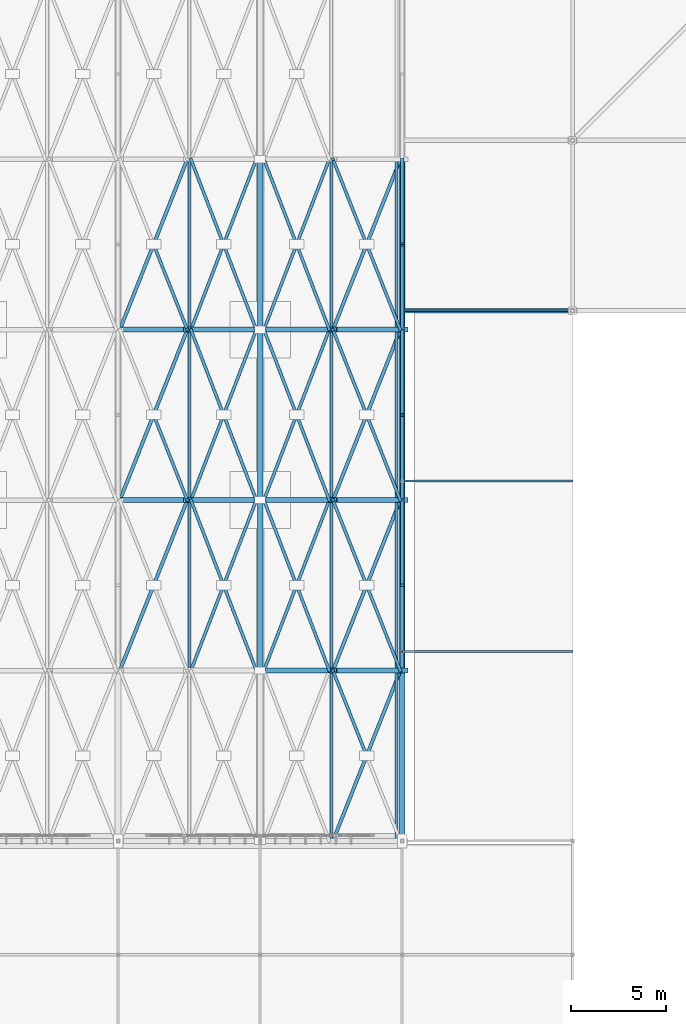
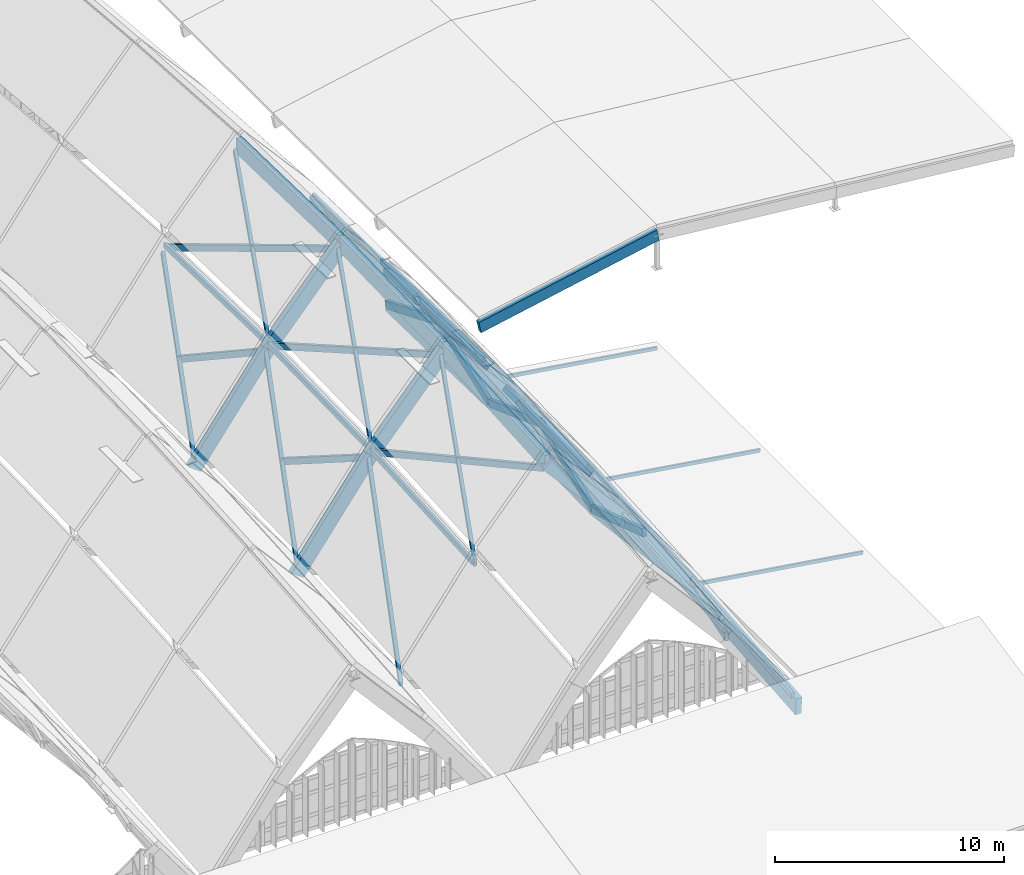
# One storey, part 51 of 93: 56 members, 18 beams.
"""IFC4 building model written with IfcOpenShell, lengths in metres."""

from ifc_helpers import new_model, si_unit, direction, frame, origin, origin_2d, place, context, subcontext, project, spatial, rectangle, hollow_rectangle, extrude, material, material_profile, profile_set, type_object, element, save


model = new_model("IFC4")

# Units and contexts
model_context = context("Model", 3, precision=1e-05, world=origin(), true_north=direction((0.0, 1.0)))
body_context = subcontext(model_context, "Body", "Model", "MODEL_VIEW")
ifc_project = project(units=[si_unit("LENGTHUNIT", "METRE"), si_unit("AREAUNIT", "SQUARE_METRE"), si_unit("VOLUMEUNIT", "CUBIC_METRE"), si_unit("PLANEANGLEUNIT", "RADIAN"), si_unit("MASSUNIT", "GRAM", prefix="KILO")], contexts=[model_context])

# Site, building, storey
site_placement = place(None, origin())
site = spatial("IfcSite", under=ifc_project, at=site_placement, CompositionType="ELEMENT")
building_placement = place(site_placement, origin())
building = spatial("IfcBuilding", under=site, at=building_placement, Name="Vourika Railside Aquatics Centre", CompositionType="ELEMENT")
storey_placement = place(building_placement, frame((0.0, 0.0, 21.89990234375)))
storey = spatial("IfcBuildingStorey", under=building, at=storey_placement, Name="Roof", CompositionType="ELEMENT", Elevation=21.89990234375)

# Beams
ifc_material_1 = material(Name="Glulam GL32h", Category="wood")
ifc_material_profile_1 = material_profile(ifc_material_1, rectangle(XDim=0.260009765625, YDim=0.760009765625, at=origin_2d()), Name="GL32h 260x760")
ifc_profile_set_1 = profile_set([ifc_material_profile_1], Name="Glulam GL32h")
beam_type_1 = type_object("IfcBeamType", Name="BM-GL-ARCH-260x760", PredefinedType="BEAM", material=ifc_profile_set_1)
beam_1_placement = place(storey_placement, frame((133.5, 21.0, -1.5), z_axis=(0.657279819973, 0.0, -0.753646626912), x_axis=(0.0, 1.0, 0.0)))
element("IfcBeam", 1, at=beam_1_placement, inside=storey, type_object=beam_type_1, Name="Pointed Glulam Vault Arch Rib GAR-0211", PredefinedType="BEAM", context=body_context, shape_type="SweptSolid", body=[
    extrude(rectangle(XDim=0.260009765625, YDim=0.760009765625, at=origin_2d()), origin(), (0.0, 0.0, 1.0), 5.705322265625),
])
beam_2_placement = place(storey_placement, frame((137.25, 21.0, -5.7998046875), z_axis=(0.592383087934, 0.0, -0.805656426233), x_axis=(0.0, 1.0, 0.0)))
element("IfcBeam", 2, at=beam_2_placement, inside=storey, type_object=beam_type_1, Name="Pointed Glulam Vault Arch Rib GAR-0212", PredefinedType="BEAM", context=body_context, shape_type="SweptSolid", body=[
    extrude(rectangle(XDim=0.260009765625, YDim=0.760009765625, at=origin_2d()), origin(), (0.0, 0.0, 1.0), 6.330322265625),
])
beam_3_placement = place(storey_placement, frame((126.0, 30.0, -10.314208984375), z_axis=(0.592401494544, 0.0, 0.805642891896), x_axis=(0.0, 1.0, 0.0)))
element("IfcBeam", 3, at=beam_3_placement, inside=storey, type_object=beam_type_1, Name="Pointed Glulam Vault Arch Rib GAR-0213", PredefinedType="BEAM", context=body_context, shape_type="SweptSolid", body=[
    extrude(rectangle(XDim=0.260009765625, YDim=0.760009765625, at=origin_2d()), origin(), (0.0, 0.0, 1.0), 6.330078125),
])
for number, where, z_axis, x_axis, name in (
    (4, (129.75, 30.0, -5.21435546875), (0.657258623263, 0.0, 0.75366511273), (0.0, 1.0, 0.0), "Pointed Glulam Vault Arch Rib GAR-0214"),
    (5, (133.5, 30.0, -0.914306640625), (0.657258623263, 0.0, -0.75366511273), (0.0, 1.0, 0.0), "Pointed Glulam Vault Arch Rib GAR-0215"),
):
    element("IfcBeam", number, at=place(storey_placement, frame(where, z_axis=z_axis, x_axis=x_axis)), inside=storey, type_object=beam_type_1, Name=name, PredefinedType="BEAM", context=body_context, shape_type="SweptSolid", body=[
        extrude(rectangle(XDim=0.260009765625, YDim=0.760009765625, at=origin_2d()), origin(), (0.0, 0.0, 1.0), 5.70556640625),
    ])
for number, where, z_axis, x_axis, name in (
    (6, (137.25, 30.0, -5.21435546875), (0.592401494544, 0.0, -0.805642891896), (0.0, 1.0, 0.0), "Pointed Glulam Vault Arch Rib GAR-0216"),
    (7, (126.0, 39.0, -10.099853515625), (0.592401494544, 0.0, 0.805642891896), (0.0, 1.0, 0.0), "Pointed Glulam Vault Arch Rib GAR-0217"),
):
    element("IfcBeam", number, at=place(storey_placement, frame(where, z_axis=z_axis, x_axis=x_axis)), inside=storey, type_object=beam_type_1, Name=name, PredefinedType="BEAM", context=body_context, shape_type="SweptSolid", body=[
        extrude(rectangle(XDim=0.260009765625, YDim=0.760009765625, at=origin_2d()), origin(), (0.0, 0.0, 1.0), 6.330078125),
    ])
for number, where, z_axis, x_axis, name in (
    (8, (129.75, 39.0, -5.0), (0.657258623263, 0.0, 0.75366511273), (0.0, 1.0, 0.0), "Pointed Glulam Vault Arch Rib GAR-0218"),
    (9, (133.5, 39.0, -0.699951171875), (0.657258623263, 0.0, -0.75366511273), (0.0, 1.0, 0.0), "Pointed Glulam Vault Arch Rib GAR-0219"),
):
    element("IfcBeam", number, at=place(storey_placement, frame(where, z_axis=z_axis, x_axis=x_axis)), inside=storey, type_object=beam_type_1, Name=name, PredefinedType="BEAM", context=body_context, shape_type="SweptSolid", body=[
        extrude(rectangle(XDim=0.260009765625, YDim=0.760009765625, at=origin_2d()), origin(), (0.0, 0.0, 1.0), 5.70556640625),
    ])
beam_4_placement = place(storey_placement, frame((137.25, 39.0, -5.0), z_axis=(0.592401494544, 0.0, -0.805642891896), x_axis=(0.0, 1.0, 0.0)))
element("IfcBeam", 10, at=beam_4_placement, inside=storey, type_object=beam_type_1, Name="Pointed Glulam Vault Arch Rib GAR-0220", PredefinedType="BEAM", context=body_context, shape_type="SweptSolid", body=[
    extrude(rectangle(XDim=0.260009765625, YDim=0.760009765625, at=origin_2d()), origin(), (0.0, 0.0, 1.0), 6.330078125),
])
ifc_material_profile_2 = material_profile(ifc_material_1, rectangle(XDim=0.219970703125, YDim=0.60009765625, at=origin_2d()), Name="GL32h 220x600")
ifc_profile_set_2 = profile_set([ifc_material_profile_2], Name="Glulam GL32h")
beam_type_2 = type_object("IfcBeamType", Name="BM-GL-FOY-220x600", PredefinedType="BEAM", material=ifc_profile_set_2)
beam_5_placement = place(storey_placement, frame((141.0, 40.0, -8.39990234375), z_axis=(0.980579652604, 0.0, 0.196121250506), x_axis=(0.0, 1.0, 0.0)))
element("IfcBeam", 11, at=beam_5_placement, inside=storey, type_object=beam_type_2, Name="Civic Foyer Canopy Glulam Rib FCR-0259", PredefinedType="BEAM", context=body_context, shape_type="SweptSolid", body=[
    extrude(rectangle(XDim=0.219970703125, YDim=0.60009765625, at=origin_2d()), origin(), (0.0, 0.0, 1.0), 9.17822265625),
])
ifc_material_profile_3 = material_profile(ifc_material_1, rectangle(XDim=0.280029296875, YDim=0.840087890625, at=origin_2d()), Name="GL32h 280x840")
ifc_profile_set_3 = profile_set([ifc_material_profile_3], Name="Glulam GL32h")
beam_type_3 = type_object("IfcBeamType", Name="BM-GL-RIDGE-280x840", PredefinedType="BEAM", material=ifc_profile_set_3)
beam_6_placement = place(storey_placement, frame((133.5, 21.0, -1.5), z_axis=(0.0, 0.997889191565, 0.064939674766), x_axis=(-1.0, 0.0, 0.0)))
element("IfcBeam", 12, at=beam_6_placement, inside=storey, type_object=beam_type_3, Name="Vault Pointed Ridge Beam GRB-0234", PredefinedType="BEAM", context=body_context, shape_type="SweptSolid", body=[
    extrude(rectangle(XDim=0.280029296875, YDim=0.840087890625, at=origin_2d()), origin(), (0.0, 0.0, 1.0), 9.01904296875),
])
for number, where, z_axis, x_axis, name in (
    (13, (133.5, 30.0, -0.914306640625), (0.0, 0.999716489335, 0.023810521854), (-1.0, 0.0, 0.0), "Vault Pointed Ridge Beam GRB-0235"),
    (14, (133.5, 39.0, -0.699951171875), (0.0, 0.999716489335, -0.023810521854), (-1.0, 0.0, 0.0), "Vault Pointed Ridge Beam GRB-0236"),
):
    element("IfcBeam", number, at=place(storey_placement, frame(where, z_axis=z_axis, x_axis=x_axis)), inside=storey, type_object=beam_type_3, Name=name, PredefinedType="BEAM", context=body_context, shape_type="SweptSolid", body=[
        extrude(rectangle(XDim=0.280029296875, YDim=0.840087890625, at=origin_2d()), origin(), (0.0, 0.0, 1.0), 9.00244140625),
    ])
ifc_material_profile_4 = material_profile(ifc_material_1, rectangle(XDim=0.300048828125, YDim=0.89990234375, at=origin_2d()), Name="GL32h 300x900")
ifc_profile_set_4 = profile_set([ifc_material_profile_4], Name="Glulam GL32h")
beam_type_4 = type_object("IfcBeamType", Name="BM-GL-VAL-300x900", PredefinedType="BEAM", material=ifc_profile_set_4)
beam_7_placement = place(storey_placement, frame((141.0, 12.0, -11.699951171875), z_axis=(0.0, 0.996072164085, 0.088545151956), x_axis=(-1.0, 0.0, 0.0)))
element("IfcBeam", 15, at=beam_7_placement, inside=storey, type_object=beam_type_4, Name="Vault Valley Arch Rib VTR-043", PredefinedType="BEAM", context=body_context, shape_type="SweptSolid", body=[
    extrude(rectangle(XDim=0.300048828125, YDim=0.89990234375, at=origin_2d()), origin(), (0.0, 0.0, 1.0), 9.035400390625),
])
beam_8_placement = place(storey_placement, frame((141.0, 21.0, -10.89990234375), z_axis=(0.0, 0.997889191565, 0.064939674766), x_axis=(-1.0, 0.0, 0.0)))
element("IfcBeam", 16, at=beam_8_placement, inside=storey, type_object=beam_type_4, Name="Vault Valley Arch Rib VTR-044", PredefinedType="BEAM", context=body_context, shape_type="SweptSolid", body=[
    extrude(rectangle(XDim=0.300048828125, YDim=0.89990234375, at=origin_2d()), origin(), (0.0, 0.0, 1.0), 9.01904296875),
])
for number, where, z_axis, x_axis, name in (
    (17, (141.0, 30.0, -10.314208984375), (0.0, 0.999716489335, 0.023810521854), (-1.0, 0.0, 0.0), "Vault Valley Arch Rib VTR-045"),
    (18, (141.0, 39.0, -10.099853515625), (0.0, 0.999716489335, -0.023810521854), (-1.0, 0.0, 0.0), "Vault Valley Arch Rib VTR-046"),
):
    element("IfcBeam", number, at=place(storey_placement, frame(where, z_axis=z_axis, x_axis=x_axis)), inside=storey, type_object=beam_type_4, Name=name, PredefinedType="BEAM", context=body_context, shape_type="SweptSolid", body=[
        extrude(rectangle(XDim=0.300048828125, YDim=0.89990234375, at=origin_2d()), origin(), (0.0, 0.0, 1.0), 9.00244140625),
    ])

# Members
ifc_material_profile_5 = material_profile(ifc_material_1, rectangle(XDim=0.219970703125, YDim=0.60009765625, at=origin_2d()), Name="GL32h 220x600")
ifc_profile_set_5 = profile_set([ifc_material_profile_5], Name="Glulam GL32h")
member_type_1 = type_object("IfcMemberType", Name="MEM-GL-CHORD", PredefinedType="CHORD", material=ifc_profile_set_5)
member_1_placement = place(storey_placement, frame((141.0, 21.0, -10.89990234375), z_axis=(0.0, 0.991735627786, -0.128298264131), x_axis=(-1.0, 0.0, 0.0)))
element("IfcMember", 19, at=member_1_placement, inside=storey, type_object=member_type_1, Name="Valley Arch Truss Bottom Chord VBC-044", PredefinedType="CHORD", context=body_context, shape_type="SweptSolid", body=[
    extrude(rectangle(XDim=0.219970703125, YDim=0.60009765625, at=origin_2d()), origin(), (0.0, 0.0, 1.0), 9.074951171875),
])
for number, where, z_axis, x_axis, name in (
    (20, (141.0, 30.0, -12.064208984375), (0.0, 0.999716489335, 0.023810521854), (-1.0, 0.0, 0.0), "Valley Arch Truss Bottom Chord VBC-045"),
    (21, (141.0, 39.0, -11.849853515625), (0.0, 0.999716489335, -0.023810521854), (-1.0, 0.0, 0.0), "Valley Arch Truss Bottom Chord VBC-046"),
):
    element("IfcMember", number, at=place(storey_placement, frame(where, z_axis=z_axis, x_axis=x_axis)), inside=storey, type_object=member_type_1, Name=name, PredefinedType="CHORD", context=body_context, shape_type="SweptSolid", body=[
        extrude(rectangle(XDim=0.219970703125, YDim=0.60009765625, at=origin_2d()), origin(), (0.0, 0.0, 1.0), 9.00244140625),
    ])
ifc_material_2 = material(Name="Glulam GL28h", Category="wood")
ifc_material_profile_6 = material_profile(ifc_material_2, rectangle(XDim=0.179931640625, YDim=0.360107421875, at=origin_2d()), Name="GL28h 180x360")
ifc_profile_set_6 = profile_set([ifc_material_profile_6], Name="Glulam GL28h")
member_type_2 = type_object("IfcMemberType", Name="MEM-GL-LATH1", PredefinedType="BRACE", material=ifc_profile_set_6)
member_2_placement = place(storey_placement, frame((137.344970703125, 12.0, -6.72021484375), z_axis=(0.339219023139, 0.857562067548, -0.386675257346), x_axis=(-0.929892910811, 0.367830360933, 0.0)))
element("IfcMember", 22, at=member_2_placement, inside=storey, type_object=member_type_2, Name="Gridshell Continuous Diagonal Lath GLA-0360", PredefinedType="BRACE", context=body_context, shape_type="SweptSolid", body=[
    extrude(rectangle(XDim=0.179931640625, YDim=0.360107421875, at=origin_2d()), origin(), (0.0, 0.0, 1.0), 10.494873046875),
])
member_3_placement = place(storey_placement, frame((126.094970703125, 21.0, -10.76318359375), z_axis=(0.321000574365, 0.811504949484, 0.488281013577), x_axis=(-0.929892910811, 0.367830360933, 0.0)))
element("IfcMember", 23, at=member_3_placement, inside=storey, type_object=member_type_2, Name="Gridshell Continuous Diagonal Lath GLA-0365", PredefinedType="BRACE", context=body_context, shape_type="SweptSolid", body=[
    extrude(rectangle(XDim=0.179931640625, YDim=0.360107421875, at=origin_2d()), origin(), (0.0, 0.0, 1.0), 11.090576171875),
])
member_4_placement = place(storey_placement, frame((137.344970703125, 21.0, -5.92138671875), z_axis=(0.336558619113, 0.85083643773, -0.403491824121), x_axis=(-0.929892910811, 0.367830360933, 0.0)))
element("IfcMember", 24, at=member_4_placement, inside=storey, type_object=member_type_2, Name="Gridshell Continuous Diagonal Lath GLA-0371", PredefinedType="BRACE", context=body_context, shape_type="SweptSolid", body=[
    extrude(rectangle(XDim=0.179931640625, YDim=0.360107421875, at=origin_2d()), origin(), (0.0, 0.0, 1.0), 10.577880859375),
])
member_5_placement = place(storey_placement, frame((126.094970703125, 30.0, -10.1806640625), z_axis=(0.326087343629, 0.824364547766, 0.462698753739), x_axis=(-0.929892910811, 0.367830360933, 0.0)))
element("IfcMember", 25, at=member_5_placement, inside=storey, type_object=member_type_2, Name="Gridshell Continuous Diagonal Lath GLA-0376", PredefinedType="BRACE", context=body_context, shape_type="SweptSolid", body=[
    extrude(rectangle(XDim=0.179931640625, YDim=0.360107421875, at=origin_2d()), origin(), (0.0, 0.0, 1.0), 10.91748046875),
])
for number, where, z_axis, x_axis, name in (
    (26, (137.344970703125, 30.0, -5.339111328125), (0.331795949467, 0.838796178929, -0.431662389064), (-0.929892910811, 0.367830360933, 0.0), "Gridshell Continuous Diagonal Lath GLA-0382"),
    (27, (126.094970703125, 39.0, -9.970703125), (0.331795949467, 0.838796178929, 0.431662389064), (-0.929892910811, 0.367830360933, 0.0), "Gridshell Continuous Diagonal Lath GLA-0387"),
):
    element("IfcMember", number, at=place(storey_placement, frame(where, z_axis=z_axis, x_axis=x_axis)), inside=storey, type_object=member_type_2, Name=name, PredefinedType="BRACE", context=body_context, shape_type="SweptSolid", body=[
        extrude(rectangle(XDim=0.179931640625, YDim=0.360107421875, at=origin_2d()), origin(), (0.0, 0.0, 1.0), 10.729736328125),
    ])
member_6_placement = place(storey_placement, frame((137.344970703125, 39.0, -5.129150390625), z_axis=(0.326087343629, 0.824364547766, -0.462698753739), x_axis=(-0.929892910811, 0.367830360933, 0.0)))
element("IfcMember", 28, at=member_6_placement, inside=storey, type_object=member_type_2, Name="Gridshell Continuous Diagonal Lath GLA-0393", PredefinedType="BRACE", context=body_context, shape_type="SweptSolid", body=[
    extrude(rectangle(XDim=0.179931640625, YDim=0.360107421875, at=origin_2d()), origin(), (0.0, 0.0, 1.0), 10.91748046875),
])
ifc_material_profile_7 = material_profile(ifc_material_2, rectangle(XDim=0.159912109375, YDim=0.320068359375, at=origin_2d()), Name="GL28h 160x320")
ifc_profile_set_7 = profile_set([ifc_material_profile_7], Name="Glulam GL28h")
member_type_3 = type_object("IfcMemberType", Name="MEM-GL-LATH2", PredefinedType="BRACE", material=ifc_profile_set_7)
member_7_placement = place(storey_placement, frame((139.125, 16.5, -8.74951171875), z_axis=(-0.318014350334, 0.803955630964, 0.502515886737), x_axis=(-0.929892910811, -0.367830360933, 0.0)))
element("IfcMember", 29, at=member_7_placement, inside=storey, type_object=member_type_3, Name="Gridshell Split Counter Lath GLB2-0361", PredefinedType="BRACE", context=body_context, shape_type="SweptSolid", body=[
    extrude(rectangle(XDim=0.159912109375, YDim=0.320068359375, at=origin_2d()), origin(), (0.0, 0.0, 1.0), 5.597412109375),
])
member_8_placement = place(storey_placement, frame((129.844970703125, 21.0, -5.683349609375), z_axis=(0.324299099527, 0.844754240035, 0.425699856693), x_axis=(-0.933569951957, 0.358395235463, 0.0)))
element("IfcMember", 30, at=member_8_placement, inside=storey, type_object=member_type_3, Name="Gridshell Continuous Diagonal Lath GLA-0367", PredefinedType="BRACE", context=body_context, shape_type="SweptSolid", body=[
    extrude(rectangle(XDim=0.159912109375, YDim=0.320068359375, at=origin_2d()), origin(), (0.0, 0.0, 1.0), 10.654052734375),
])
for number, where, z_axis, x_axis, name in (
    (31, (133.300048828125, 21.0, -1.7216796875), (-0.338120523205, 0.8807571345, -0.331574097021), (-0.933569951957, -0.358395235463, 0.0), "Gridshell Split Counter Lath GLB1-0368"),
    (32, (131.572509765625, 25.5, -3.415771484375), (-0.338120523205, 0.8807571345, -0.331574097021), (-0.933569951957, -0.358395235463, 0.0), "Gridshell Split Counter Lath GLB2-0368"),
):
    element("IfcMember", number, at=place(storey_placement, frame(where, z_axis=z_axis, x_axis=x_axis)), inside=storey, type_object=member_type_3, Name=name, PredefinedType="BRACE", context=body_context, shape_type="SweptSolid", body=[
        extrude(rectangle(XDim=0.159912109375, YDim=0.320068359375, at=origin_2d()), origin(), (0.0, 0.0, 1.0), 5.109130859375),
    ])
member_9_placement = place(storey_placement, frame((133.699951171875, 21.0, -1.7216796875), z_axis=(0.338120523205, 0.8807571345, -0.331574097021), x_axis=(-0.933569951957, 0.358395235463, 0.0)))
element("IfcMember", 33, at=member_9_placement, inside=storey, type_object=member_type_3, Name="Gridshell Continuous Diagonal Lath GLA-0369", PredefinedType="BRACE", context=body_context, shape_type="SweptSolid", body=[
    extrude(rectangle(XDim=0.159912109375, YDim=0.320068359375, at=origin_2d()), origin(), (0.0, 0.0, 1.0), 10.218505859375),
])
member_10_placement = place(storey_placement, frame((137.155029296875, 21.0, -5.683349609375), z_axis=(-0.324302263056, 0.84476248059, 0.425681093735), x_axis=(-0.933569951957, -0.358395235463, 0.0)))
element("IfcMember", 34, at=member_10_placement, inside=storey, type_object=member_type_3, Name="Gridshell Split Counter Lath GLB1-0370", PredefinedType="BRACE", context=body_context, shape_type="SweptSolid", body=[
    extrude(rectangle(XDim=0.159912109375, YDim=0.320068359375, at=origin_2d()), origin(), (0.0, 0.0, 1.0), 5.326904296875),
])
member_11_placement = place(storey_placement, frame((135.427490234375, 25.5, -3.415771484375), z_axis=(-0.324295935921, 0.844745999277, 0.425718619102), x_axis=(-0.933569951957, -0.358395235463, 0.0)))
element("IfcMember", 35, at=member_11_placement, inside=storey, type_object=member_type_3, Name="Gridshell Split Counter Lath GLB2-0370", PredefinedType="BRACE", context=body_context, shape_type="SweptSolid", body=[
    extrude(rectangle(XDim=0.159912109375, YDim=0.320068359375, at=origin_2d()), origin(), (0.0, 0.0, 1.0), 5.3271484375),
])
member_12_placement = place(storey_placement, frame((140.905029296875, 21.0, -10.76318359375), z_axis=(-0.320997123983, 0.811496226753, 0.48829777837), x_axis=(-0.929892910811, -0.367830360933, 0.0)))
element("IfcMember", 36, at=member_12_placement, inside=storey, type_object=member_type_3, Name="Gridshell Split Counter Lath GLB1-0372", PredefinedType="BRACE", context=body_context, shape_type="SweptSolid", body=[
    extrude(rectangle(XDim=0.159912109375, YDim=0.320068359375, at=origin_2d()), origin(), (0.0, 0.0, 1.0), 5.54541015625),
])
member_13_placement = place(storey_placement, frame((139.125, 25.5, -8.055419921875), z_axis=(-0.321004024702, 0.811513672104, 0.488264248244), x_axis=(-0.929892910811, -0.367830360933, 0.0)))
element("IfcMember", 37, at=member_13_placement, inside=storey, type_object=member_type_3, Name="Gridshell Split Counter Lath GLB2-0372", PredefinedType="BRACE", context=body_context, shape_type="SweptSolid", body=[
    extrude(rectangle(XDim=0.159912109375, YDim=0.320068359375, at=origin_2d()), origin(), (0.0, 0.0, 1.0), 5.545166015625),
])
member_14_placement = place(storey_placement, frame((129.655029296875, 30.0, -5.339111328125), z_axis=(-0.331799208316, 0.838804417456, -0.43164387476), x_axis=(-0.929892910811, -0.367830360933, 0.0)))
element("IfcMember", 38, at=member_14_placement, inside=storey, type_object=member_type_3, Name="Gridshell Split Counter Lath GLB1-0377", PredefinedType="BRACE", context=body_context, shape_type="SweptSolid", body=[
    extrude(rectangle(XDim=0.159912109375, YDim=0.320068359375, at=origin_2d()), origin(), (0.0, 0.0, 1.0), 5.36474609375),
])
member_15_placement = place(storey_placement, frame((129.844970703125, 30.0, -5.100830078125), z_axis=(0.32892073085, 0.856792949552, 0.397135989827), x_axis=(-0.933569951957, 0.358395235463, 0.0)))
element("IfcMember", 39, at=member_15_placement, inside=storey, type_object=member_type_3, Name="Gridshell Continuous Diagonal Lath GLA-0378", PredefinedType="BRACE", context=body_context, shape_type="SweptSolid", body=[
    extrude(rectangle(XDim=0.159912109375, YDim=0.320068359375, at=origin_2d()), origin(), (0.0, 0.0, 1.0), 10.50439453125),
])
for number, where, z_axis, x_axis, name in (
    (40, (133.300048828125, 30.0, -1.13916015625), (-0.333992041249, 0.870003010782, -0.362690057229), (-0.933569951957, -0.358395235463, 0.0), "Gridshell Split Counter Lath GLB1-0379"),
    (41, (131.572509765625, 34.5, -3.01513671875), (-0.333992041249, 0.870003010782, -0.362690057229), (-0.933569951957, -0.358395235463, 0.0), "Gridshell Split Counter Lath GLB2-0379"),
):
    element("IfcMember", number, at=place(storey_placement, frame(where, z_axis=z_axis, x_axis=x_axis)), inside=storey, type_object=member_type_3, Name=name, PredefinedType="BRACE", context=body_context, shape_type="SweptSolid", body=[
        extrude(rectangle(XDim=0.159912109375, YDim=0.320068359375, at=origin_2d()), origin(), (0.0, 0.0, 1.0), 5.17236328125),
    ])
member_16_placement = place(storey_placement, frame((133.699951171875, 30.0, -1.13916015625), z_axis=(0.333992041249, 0.870003010782, -0.362690057229), x_axis=(-0.933569951957, 0.358395235463, 0.0)))
element("IfcMember", 42, at=member_16_placement, inside=storey, type_object=member_type_3, Name="Gridshell Continuous Diagonal Lath GLA-0380", PredefinedType="BRACE", context=body_context, shape_type="SweptSolid", body=[
    extrude(rectangle(XDim=0.159912109375, YDim=0.320068359375, at=origin_2d()), origin(), (0.0, 0.0, 1.0), 10.3447265625),
])
for number, where, z_axis, x_axis, name in (
    (43, (137.155029296875, 30.0, -5.100830078125), (-0.328923766818, 0.856800857828, 0.397116413218), (-0.933569951957, -0.358395235463, 0.0), "Gridshell Split Counter Lath GLB1-0381"),
    (44, (135.427490234375, 34.5, -3.01513671875), (-0.328917694788, 0.856785041031, 0.397155565895), (-0.933569951957, -0.358395235463, 0.0), "Gridshell Split Counter Lath GLB2-0381"),
):
    element("IfcMember", number, at=place(storey_placement, frame(where, z_axis=z_axis, x_axis=x_axis)), inside=storey, type_object=member_type_3, Name=name, PredefinedType="BRACE", context=body_context, shape_type="SweptSolid", body=[
        extrude(rectangle(XDim=0.159912109375, YDim=0.320068359375, at=origin_2d()), origin(), (0.0, 0.0, 1.0), 5.252197265625),
    ])
for number, where, z_axis, x_axis, name in (
    (45, (140.905029296875, 30.0, -10.1806640625), (-0.326083969568, 0.824356017978, 0.462716328234), (-0.929892910811, -0.367830360933, 0.0), "Gridshell Split Counter Lath GLB1-0383"),
    (46, (139.125, 34.5, -7.65478515625), (-0.326090717631, 0.824373077407, 0.462681178699), (-0.929892910811, -0.367830360933, 0.0), "Gridshell Split Counter Lath GLB2-0383"),
    (47, (129.655029296875, 39.0, -5.129150390625), (-0.326090717631, 0.824373077407, -0.462681178699), (-0.929892910811, -0.367830360933, 0.0), "Gridshell Split Counter Lath GLB1-0388"),
):
    element("IfcMember", number, at=place(storey_placement, frame(where, z_axis=z_axis, x_axis=x_axis)), inside=storey, type_object=member_type_3, Name=name, PredefinedType="BRACE", context=body_context, shape_type="SweptSolid", body=[
        extrude(rectangle(XDim=0.159912109375, YDim=0.320068359375, at=origin_2d()), origin(), (0.0, 0.0, 1.0), 5.458740234375),
    ])
member_17_placement = place(storey_placement, frame((129.844970703125, 39.0, -4.89111328125), z_axis=(0.333992041249, 0.870003010782, 0.362690057229), x_axis=(-0.933569951957, 0.358395235463, 0.0)))
element("IfcMember", 48, at=member_17_placement, inside=storey, type_object=member_type_3, Name="Gridshell Continuous Diagonal Lath GLA-0389", PredefinedType="BRACE", context=body_context, shape_type="SweptSolid", body=[
    extrude(rectangle(XDim=0.159912109375, YDim=0.320068359375, at=origin_2d()), origin(), (0.0, 0.0, 1.0), 10.3447265625),
])
for number, where, z_axis, x_axis, name in (
    (49, (133.300048828125, 39.0, -0.92919921875), (-0.328917694788, 0.856785041031, -0.397155565895), (-0.933569951957, -0.358395235463, 0.0), "Gridshell Split Counter Lath GLB1-0390"),
    (50, (131.572509765625, 43.5, -3.01513671875), (-0.328923766818, 0.856800857828, -0.397116413218), (-0.933569951957, -0.358395235463, 0.0), "Gridshell Split Counter Lath GLB2-0390"),
):
    element("IfcMember", number, at=place(storey_placement, frame(where, z_axis=z_axis, x_axis=x_axis)), inside=storey, type_object=member_type_3, Name=name, PredefinedType="BRACE", context=body_context, shape_type="SweptSolid", body=[
        extrude(rectangle(XDim=0.159912109375, YDim=0.320068359375, at=origin_2d()), origin(), (0.0, 0.0, 1.0), 5.252197265625),
    ])
member_18_placement = place(storey_placement, frame((133.699951171875, 39.0, -0.92919921875), z_axis=(0.32892073085, 0.856792949552, -0.397135989827), x_axis=(-0.933569951957, 0.358395235463, 0.0)))
element("IfcMember", 51, at=member_18_placement, inside=storey, type_object=member_type_3, Name="Gridshell Continuous Diagonal Lath GLA-0391", PredefinedType="BRACE", context=body_context, shape_type="SweptSolid", body=[
    extrude(rectangle(XDim=0.159912109375, YDim=0.320068359375, at=origin_2d()), origin(), (0.0, 0.0, 1.0), 10.50439453125),
])
for number, where, z_axis, x_axis, name in (
    (52, (137.155029296875, 39.0, -4.89111328125), (-0.333992041249, 0.870003010782, 0.362690057229), (-0.933569951957, -0.358395235463, 0.0), "Gridshell Split Counter Lath GLB1-0392"),
    (53, (135.427490234375, 43.5, -3.01513671875), (-0.333992041249, 0.870003010782, 0.362690057229), (-0.933569951957, -0.358395235463, 0.0), "Gridshell Split Counter Lath GLB2-0392"),
):
    element("IfcMember", number, at=place(storey_placement, frame(where, z_axis=z_axis, x_axis=x_axis)), inside=storey, type_object=member_type_3, Name=name, PredefinedType="BRACE", context=body_context, shape_type="SweptSolid", body=[
        extrude(rectangle(XDim=0.159912109375, YDim=0.320068359375, at=origin_2d()), origin(), (0.0, 0.0, 1.0), 5.17236328125),
    ])
member_19_placement = place(storey_placement, frame((140.905029296875, 39.0, -9.970703125), z_axis=(-0.331792690542, 0.83878794021, 0.431680902823), x_axis=(-0.929892910811, -0.367830360933, 0.0)))
element("IfcMember", 54, at=member_19_placement, inside=storey, type_object=member_type_3, Name="Gridshell Split Counter Lath GLB1-0394", PredefinedType="BRACE", context=body_context, shape_type="SweptSolid", body=[
    extrude(rectangle(XDim=0.159912109375, YDim=0.320068359375, at=origin_2d()), origin(), (0.0, 0.0, 1.0), 5.364990234375),
])
member_20_placement = place(storey_placement, frame((139.125, 43.5, -7.65478515625), z_axis=(-0.331799208316, 0.838804417456, 0.43164387476), x_axis=(-0.929892910811, -0.367830360933, 0.0)))
element("IfcMember", 55, at=member_20_placement, inside=storey, type_object=member_type_3, Name="Gridshell Split Counter Lath GLB2-0394", PredefinedType="BRACE", context=body_context, shape_type="SweptSolid", body=[
    extrude(rectangle(XDim=0.159912109375, YDim=0.320068359375, at=origin_2d()), origin(), (0.0, 0.0, 1.0), 5.36474609375),
])
ifc_material_profile_8 = material_profile(ifc_material_2, rectangle(XDim=0.139892578125, YDim=0.280029296875, at=origin_2d()), Name="GL28h 140x280")
ifc_profile_set_8 = profile_set([ifc_material_profile_8], Name="Glulam GL28h")
member_type_4 = type_object("IfcMemberType", Name="MEM-GL-PURLIN", PredefinedType="PURLIN", material=ifc_profile_set_8)
for number, where, z_axis, x_axis, name in (
    (56, (137.25, 12.0, -6.329833984375), (0.0, 0.996072164085, 0.088545151956), (-1.0, 0.0, 0.0), "Vault Timber Purlin GTP-0352"),
    (57, (140.699951171875, 12.0, -11.02197265625), (0.0, 0.996072164085, 0.088545151956), (-1.0, 0.0, 0.0), "Vault Timber Purlin GTP-0353"),
):
    element("IfcMember", number, at=place(storey_placement, frame(where, z_axis=z_axis, x_axis=x_axis)), inside=storey, type_object=member_type_4, Name=name, PredefinedType="PURLIN", context=body_context, shape_type="SweptSolid", body=[
        extrude(rectangle(XDim=0.139892578125, YDim=0.280029296875, at=origin_2d()), origin(), (0.0, 0.0, 1.0), 9.035400390625),
    ])
for number, where, z_axis, x_axis, name in (
    (58, (129.75, 21.0, -5.52978515625), (0.0, 0.997890945376, 0.064912719374), (-1.0, 0.0, 0.0), "Vault Timber Purlin GTP-0362"),
    (59, (137.25, 21.0, -5.52978515625), (0.0, 0.997890945376, 0.064912719374), (-1.0, 0.0, 0.0), "Vault Timber Purlin GTP-0363"),
    (60, (140.699951171875, 21.0, -10.221923828125), (0.0, 0.997889191565, 0.064939674766), (-1.0, 0.0, 0.0), "Vault Timber Purlin GTP-0364"),
):
    element("IfcMember", number, at=place(storey_placement, frame(where, z_axis=z_axis, x_axis=x_axis)), inside=storey, type_object=member_type_4, Name=name, PredefinedType="PURLIN", context=body_context, shape_type="SweptSolid", body=[
        extrude(rectangle(XDim=0.139892578125, YDim=0.280029296875, at=origin_2d()), origin(), (0.0, 0.0, 1.0), 9.01904296875),
    ])
for number, where, z_axis, x_axis, name in (
    (61, (129.75, 30.0, -4.9443359375), (0.0, 0.999716489335, 0.023810521854), (-1.0, 0.0, 0.0), "Vault Timber Purlin GTP-0373"),
    (62, (137.25, 30.0, -4.9443359375), (0.0, 0.999716489335, 0.023810521854), (-1.0, 0.0, 0.0), "Vault Timber Purlin GTP-0374"),
    (63, (140.699951171875, 30.0, -9.63623046875), (0.0, 0.999716489335, 0.023810521854), (-1.0, 0.0, 0.0), "Vault Timber Purlin GTP-0375"),
    (64, (129.75, 39.0, -4.72998046875), (0.0, 0.999716489335, -0.023810521854), (-1.0, 0.0, 0.0), "Vault Timber Purlin GTP-0384"),
    (65, (137.25, 39.0, -4.72998046875), (0.0, 0.999716489335, -0.023810521854), (-1.0, 0.0, 0.0), "Vault Timber Purlin GTP-0385"),
    (66, (140.699951171875, 39.0, -9.421875), (0.0, 0.999716489335, -0.023810521854), (-1.0, 0.0, 0.0), "Vault Timber Purlin GTP-0386"),
):
    element("IfcMember", number, at=place(storey_placement, frame(where, z_axis=z_axis, x_axis=x_axis)), inside=storey, type_object=member_type_4, Name=name, PredefinedType="PURLIN", context=body_context, shape_type="SweptSolid", body=[
        extrude(rectangle(XDim=0.139892578125, YDim=0.280029296875, at=origin_2d()), origin(), (0.0, 0.0, 1.0), 9.00244140625),
    ])
ifc_material_profile_9 = material_profile(ifc_material_2, rectangle(XDim=0.199951171875, YDim=0.39990234375, at=origin_2d()), Name="GL28h 200x400")
ifc_profile_set_9 = profile_set([ifc_material_profile_9], Name="Glulam GL28h")
member_type_5 = type_object("IfcMemberType", Name="MEM-GL-STRUT1", PredefinedType="STRUT", material=ifc_profile_set_9)
member_21_placement = place(storey_placement, frame((141.0, 25.5, -10.607177734375), z_axis=(0.0, 0.95137335537, -0.308040157598), x_axis=(-1.0, 0.0, 0.0)))
element("IfcMember", 67, at=member_21_placement, inside=storey, type_object=member_type_5, Name="Valley Truss Web Strut VWB-044", PredefinedType="STRUT", context=body_context, shape_type="SweptSolid", body=[
    extrude(rectangle(XDim=0.199951171875, YDim=0.39990234375, at=origin_2d()), origin(), (0.0, 0.0, 1.0), 4.72998046875),
])
member_22_placement = place(storey_placement, frame((141.0, 30.0, -12.064208984375), z_axis=(0.0, 0.924371407103, 0.381493776792), x_axis=(-1.0, 0.0, 0.0)))
element("IfcMember", 68, at=member_22_placement, inside=storey, type_object=member_type_5, Name="Valley Truss Web Strut VWA-045", PredefinedType="STRUT", context=body_context, shape_type="SweptSolid", body=[
    extrude(rectangle(XDim=0.199951171875, YDim=0.39990234375, at=origin_2d()), origin(), (0.0, 0.0, 1.0), 4.8681640625),
])
for number, where, z_axis, x_axis, name in (
    (69, (141.0, 34.5, -10.20703125), (0.0, 0.939359665163, -0.342933549635), (-1.0, 0.0, 0.0), "Valley Truss Web Strut VWB-045"),
    (70, (141.0, 39.0, -11.849853515625), (0.0, 0.939359665163, 0.342933549635), (-1.0, 0.0, 0.0), "Valley Truss Web Strut VWA-046"),
):
    element("IfcMember", number, at=place(storey_placement, frame(where, z_axis=z_axis, x_axis=x_axis)), inside=storey, type_object=member_type_5, Name=name, PredefinedType="STRUT", context=body_context, shape_type="SweptSolid", body=[
        extrude(rectangle(XDim=0.199951171875, YDim=0.39990234375, at=origin_2d()), origin(), (0.0, 0.0, 1.0), 4.79052734375),
    ])
member_23_placement = place(storey_placement, frame((141.0, 43.5, -10.20703125), z_axis=(0.0, 0.924371407103, -0.381493776792), x_axis=(-1.0, 0.0, 0.0)))
element("IfcMember", 71, at=member_23_placement, inside=storey, type_object=member_type_5, Name="Valley Truss Web Strut VWB-046", PredefinedType="STRUT", context=body_context, shape_type="SweptSolid", body=[
    extrude(rectangle(XDim=0.199951171875, YDim=0.39990234375, at=origin_2d()), origin(), (0.0, 0.0, 1.0), 4.8681640625),
])
ifc_material_3 = material(Name="Steel S355J2", Category="steel")
ifc_material_profile_10 = material_profile(ifc_material_3, hollow_rectangle(XDim=0.10009765625, YDim=0.179931640625, WallThickness=0.008056640625, at=origin_2d()), Name="RHS 180x100x8")
ifc_profile_set_10 = profile_set([ifc_material_profile_10], Name="Steel S355J2")
member_type_6 = type_object("IfcMemberType", Name="MEM-STL-RHS180", PredefinedType="RAFTER", material=ifc_profile_set_10)
for number, where, z_axis, x_axis, name in (
    (72, (150.0, 22.0, -12.699951171875), (-0.988934778637, 0.0, 0.148350947425), (0.0, -1.0, 0.0), "Changing East Roof Rafter V4ER-22"),
    (73, (150.0, 31.0, -12.699951171875), (-0.988934778637, 0.0, 0.148350947425), (0.0, -1.0, 0.0), "Changing East Roof Rafter V4ER-31"),
    (74, (150.0, 40.0, -12.699951171875), (-0.988934778637, 0.0, 0.148350947425), (0.0, -1.0, 0.0), "Changing East Roof Rafter V4ER-40"),
):
    element("IfcMember", number, at=place(storey_placement, frame(where, z_axis=z_axis, x_axis=x_axis)), inside=storey, type_object=member_type_6, Name=name, PredefinedType="RAFTER", context=body_context, shape_type="SweptSolid", body=[
        extrude(hollow_rectangle(XDim=0.10009765625, YDim=0.179931640625, WallThickness=0.008056640625, at=origin_2d()), origin(), (0.0, 0.0, 1.0), 9.1005859375),
    ])

save(model, "model.ifc")
